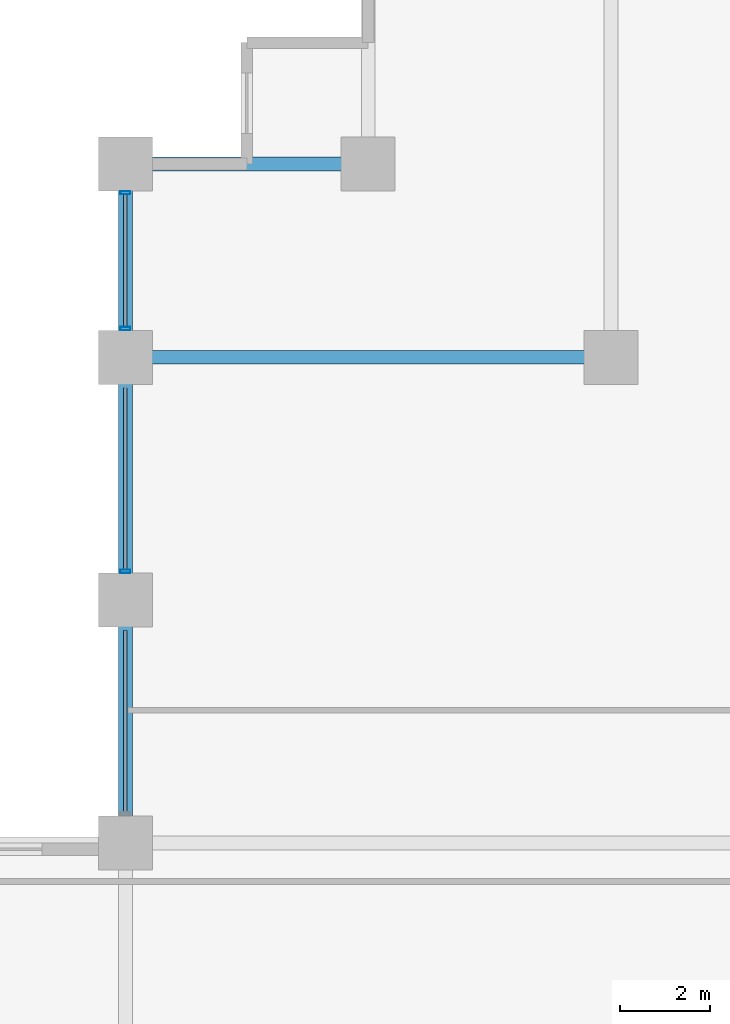
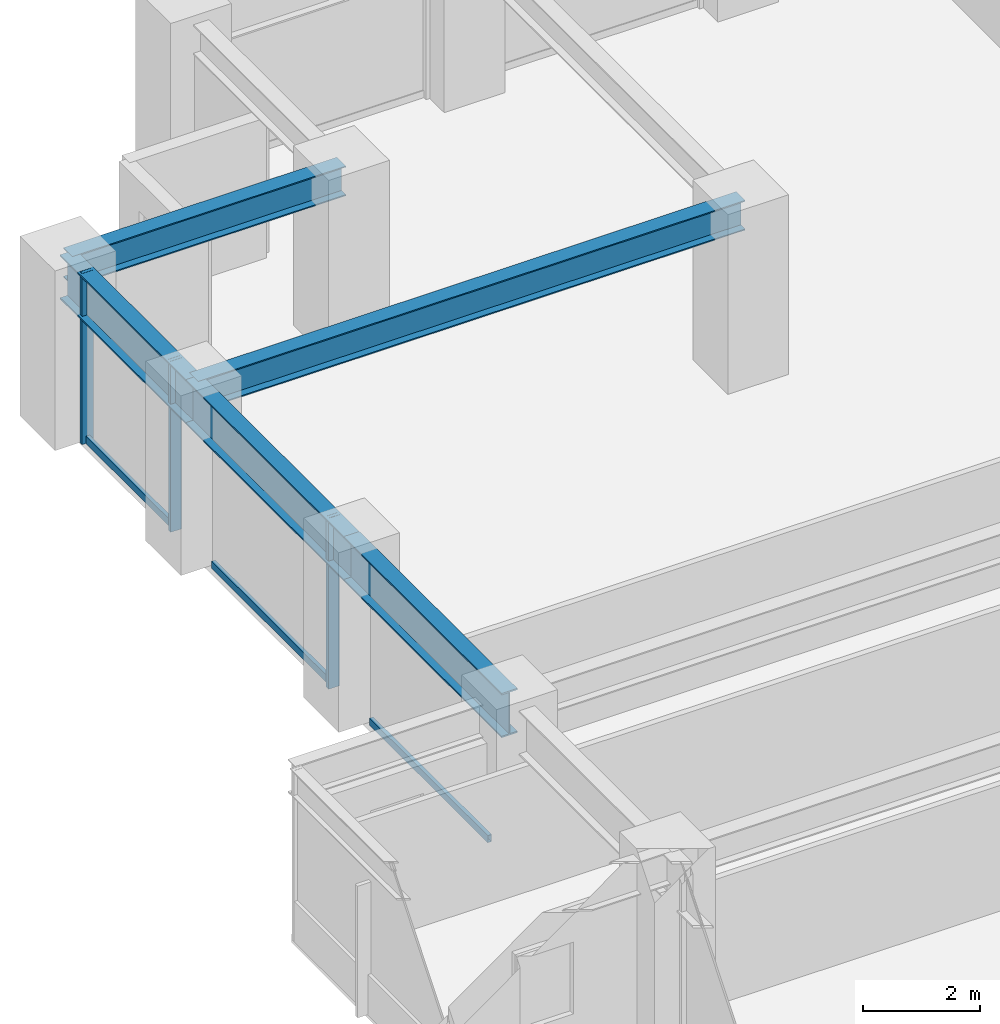
# One storey, part 10 of 28: 6 members, 5 beams, 1 element without a shape of its own.
"""IFC4 building model written with IfcOpenShell, lengths in metres."""

from ifc_helpers import new_model, si_unit, direction, frame, origin, origin_2d, place, context, subcontext, project, spatial, hollow_rectangle, i_section, extrude, material, layer, layer_set, material_profile, profile_set, type_object, element, aggregate, save


model = new_model("IFC4")

# Units and contexts
model_context = context("Model", 3, precision=1e-05, world=origin(), true_north=direction((0.0, 1.0)))
body_context = subcontext(model_context, "Body", "Model", "MODEL_VIEW")
ifc_project = project(units=[si_unit("LENGTHUNIT", "METRE"), si_unit("AREAUNIT", "SQUARE_METRE"), si_unit("VOLUMEUNIT", "CUBIC_METRE"), si_unit("PLANEANGLEUNIT", "RADIAN"), si_unit("MASSUNIT", "GRAM", prefix="KILO")], contexts=[model_context])

# Site, building, storey
site_placement = place(None, origin())
site = spatial("IfcSite", under=ifc_project, at=site_placement, CompositionType="ELEMENT")
building_placement = place(site_placement, origin())
building = spatial("IfcBuilding", under=site, at=building_placement, Name="Surkhivell Harbour Commons", CompositionType="ELEMENT")
storey_placement = place(building_placement, frame((0.0, 0.0, 67.5)))
storey = spatial("IfcBuildingStorey", under=building, at=storey_placement, Name="L17", CompositionType="ELEMENT", Elevation=67.5)

# Beams
ifc_material_1 = material(Name="Steel S355", Category="steel")
ifc_material_profile_1 = material_profile(ifc_material_1, i_section(OverallWidth=0.306884765625, OverallDepth=0.6201171875, WebThickness=0.01416015625, FlangeThickness=0.023681640625, at=origin_2d()), Name="UB610x305x179")
ifc_profile_set_1 = profile_set([ifc_material_profile_1], Name="Steel S355")
beam_type_1 = type_object("IfcBeamType", Name="BM-GRD-610A", PredefinedType="BEAM", material=ifc_profile_set_1)
beam_1_placement = place(storey_placement, frame((-32.39990234375, 16.199951171875, 3.260009765625), z_axis=(1.0, 0.0, 0.0), x_axis=(0.0, 1.0, 0.0)))
element("IfcBeam", 1, at=beam_1_placement, inside=storey, type_object=beam_type_1, Name="L17 Floor Girder (-32.4,16.2)", PredefinedType="BEAM", context=body_context, shape_type="SweptSolid", body=[
    extrude(i_section(OverallWidth=0.306884765625, OverallDepth=0.6201171875, WebThickness=0.01416015625, FlangeThickness=0.023681640625, at=origin_2d()), origin(), (0.0, 0.0, 1.0), 10.7998046875),
])
beam_2_placement = place(storey_placement, frame((-32.39990234375, 20.5, 3.260009765625), z_axis=(1.0, 0.0, 0.0), x_axis=(0.0, 1.0, 0.0)))
element("IfcBeam", 2, at=beam_2_placement, inside=storey, type_object=beam_type_1, Name="L17 Floor Girder (-32.4,20.5)", PredefinedType="BEAM", context=body_context, shape_type="SweptSolid", body=[
    extrude(i_section(OverallWidth=0.306884765625, OverallDepth=0.6201171875, WebThickness=0.01416015625, FlangeThickness=0.023681640625, at=origin_2d()), origin(), (0.0, 0.0, 1.0), 5.39990234375),
])
ifc_material_2 = material(Name="Steel S460", Category="steel")
ifc_material_profile_2 = material_profile(ifc_material_2, i_section(OverallWidth=0.30810546875, OverallDepth=0.927001953125, WebThickness=0.01953125, FlangeThickness=0.031982421875, at=origin_2d()), Name="UB914x305x289")
ifc_profile_set_2 = profile_set([ifc_material_profile_2], Name="Steel S460")
beam_type_2 = type_object("IfcBeamType", Name="BM-SPN-914B", PredefinedType="SPANDREL", material=ifc_profile_set_2)
beam_3_placement = place(storey_placement, frame((-32.39990234375, 5.39990234375, 3.1064453125), z_axis=(0.0, 1.0, 0.0), x_axis=(-1.0, 0.0, 0.0)))
element("IfcBeam", 3, at=beam_3_placement, inside=storey, type_object=beam_type_2, Name="L17 Tube Spandrel (-32.4,5.4)", PredefinedType="SPANDREL", context=body_context, shape_type="SweptSolid", body=[
    extrude(i_section(OverallWidth=0.30810546875, OverallDepth=0.927001953125, WebThickness=0.01953125, FlangeThickness=0.031982421875, at=origin_2d()), origin(), (0.0, 0.0, 1.0), 5.400146484375),
])
beam_4_placement = place(storey_placement, frame((-32.39990234375, 10.800048828125, 3.1064453125), z_axis=(0.0, 1.0, 0.0), x_axis=(-1.0, 0.0, 0.0)))
element("IfcBeam", 4, at=beam_4_placement, inside=storey, type_object=beam_type_2, Name="L17 Tube Spandrel (-32.4,10.8)", PredefinedType="SPANDREL", context=body_context, shape_type="SweptSolid", body=[
    extrude(i_section(OverallWidth=0.30810546875, OverallDepth=0.927001953125, WebThickness=0.01953125, FlangeThickness=0.031982421875, at=origin_2d()), origin(), (0.0, 0.0, 1.0), 5.39990234375),
])
beam_5_placement = place(storey_placement, frame((-32.39990234375, 16.199951171875, 3.1064453125), z_axis=(0.0, 1.0, 0.0), x_axis=(-1.0, 0.0, 0.0)))
element("IfcBeam", 5, at=beam_5_placement, inside=storey, type_object=beam_type_2, Name="L17 Tube Spandrel (-32.4,16.2)", PredefinedType="SPANDREL", context=body_context, shape_type="SweptSolid", body=[
    extrude(i_section(OverallWidth=0.30810546875, OverallDepth=0.927001953125, WebThickness=0.01953125, FlangeThickness=0.031982421875, at=origin_2d()), origin(), (0.0, 0.0, 1.0), 4.300048828125),
])

# Curtain wall, members
ifc_material_3 = material(Name="Anodised pale-metal aluminium and insulated glazing", Category="aluminium")
ifc_layer = layer(ifc_material_3, 0.219970703125)
ifc_layer_set = layer_set([ifc_layer], Name="Anodised pale-metal aluminium and insulated glazing")
curtain_wall_type = type_object("IfcCurtainWallType", Name="CW-SYS-Z1", PredefinedType="NOTDEFINED", material=ifc_layer_set)
curtain_wall_placement = place(storey_placement, origin())
curtain_wall = element("IfcCurtainWall", 6, at=curtain_wall_placement, inside=storey, type_object=curtain_wall_type, Name="L17 Curtain Wall CW-L17-E12R2", PredefinedType="NOTDEFINED")
ifc_material_4 = material(Name="Anodised pale-metal aluminium alloy 6063-T6", Category="aluminium")
ifc_material_profile_3 = material_profile(ifc_material_4, hollow_rectangle(XDim=0.074951171875, YDim=0.219970703125, WallThickness=0.00390625, at=origin_2d()), Name="ALU-MULL-75x220")
ifc_profile_set_3 = profile_set([ifc_material_profile_3], Name="Anodised pale-metal aluminium alloy 6063-T6")
member_type_1 = type_object("IfcMemberType", Name="CWM-220", PredefinedType="MULLION", material=ifc_profile_set_3)
member_1_placement = place(storey_placement, frame((-32.39990234375, 11.439453125, 0.0), z_axis=(0.0, 0.0, 1.0), x_axis=(0.0, 1.0, 0.0)))
member_1 = element("IfcMember", 7, at=member_1_placement, type_object=member_type_1, Name="CW-Z1 mullion 2", PredefinedType="MULLION", context=body_context, shape_type="SweptSolid", body=[
    extrude(hollow_rectangle(XDim=0.074951171875, YDim=0.219970703125, WallThickness=0.00390625, at=origin_2d()), origin(), (0.0, 0.0, 1.0), 3.570068359375),
])
member_2_placement = place(storey_placement, frame((-32.39990234375, 16.839599609375, 0.0), z_axis=(0.0, 0.0, 1.0), x_axis=(0.0, 1.0, 0.0)))
member_2 = element("IfcMember", 8, at=member_2_placement, type_object=member_type_1, Name="CW-Z1 mullion 3", PredefinedType="MULLION", context=body_context, shape_type="SweptSolid", body=[
    extrude(hollow_rectangle(XDim=0.074951171875, YDim=0.219970703125, WallThickness=0.00390625, at=origin_2d()), origin(), (0.0, 0.0, 1.0), 3.570068359375),
])
member_3_placement = place(storey_placement, frame((-32.39990234375, 19.860595703125, 0.0), z_axis=(0.0, 0.0, 1.0), x_axis=(0.0, 1.0, 0.0)))
member_3 = element("IfcMember", 9, at=member_3_placement, type_object=member_type_1, Name="CW-Z1 mullion 4", PredefinedType="MULLION", context=body_context, shape_type="SweptSolid", body=[
    extrude(hollow_rectangle(XDim=0.074951171875, YDim=0.219970703125, WallThickness=0.00390625, at=origin_2d()), origin(), (0.0, 0.0, 1.0), 3.570068359375),
])
ifc_material_profile_4 = material_profile(ifc_material_4, hollow_rectangle(XDim=0.074951171875, YDim=0.14990234375, WallThickness=0.00341796875, at=origin_2d()), Name="ALU-TRAN-75x150")
ifc_profile_set_4 = profile_set([ifc_material_profile_4], Name="Anodised pale-metal aluminium alloy 6063-T6")
member_type_2 = type_object("IfcMemberType", Name="CWT-150", PredefinedType="USERDEFINED", material=ifc_profile_set_4)
member_4_placement = place(storey_placement, frame((-32.39990234375, 6.076904296875, 0.074951171875), z_axis=(0.0, 1.0, 0.0), x_axis=(-1.0, 0.0, 0.0)))
member_4 = element("IfcMember", 10, at=member_4_placement, type_object=member_type_2, Name="CW-Z1 transom 1.1", ObjectType="TRANSOM", PredefinedType="USERDEFINED", context=body_context, shape_type="SweptSolid", body=[
    extrude(hollow_rectangle(XDim=0.074951171875, YDim=0.14990234375, WallThickness=0.00341796875, at=origin_2d()), origin(), (0.0, 0.0, 1.0), 4.046142578125),
])
member_5_placement = place(storey_placement, frame((-32.39990234375, 11.47705078125, 0.074951171875), z_axis=(0.0, 1.0, 0.0), x_axis=(-1.0, 0.0, 0.0)))
member_5 = element("IfcMember", 11, at=member_5_placement, type_object=member_type_2, Name="CW-Z1 transom 2.1", ObjectType="TRANSOM", PredefinedType="USERDEFINED", context=body_context, shape_type="SweptSolid", body=[
    extrude(hollow_rectangle(XDim=0.074951171875, YDim=0.14990234375, WallThickness=0.00341796875, at=origin_2d()), origin(), (0.0, 0.0, 1.0), 4.0458984375),
])
member_6_placement = place(storey_placement, frame((-32.39990234375, 16.876953125, 0.074951171875), z_axis=(0.0, 1.0, 0.0), x_axis=(-1.0, 0.0, 0.0)))
member_6 = element("IfcMember", 12, at=member_6_placement, type_object=member_type_2, Name="CW-Z1 transom 3.1", ObjectType="TRANSOM", PredefinedType="USERDEFINED", context=body_context, shape_type="SweptSolid", body=[
    extrude(hollow_rectangle(XDim=0.074951171875, YDim=0.14990234375, WallThickness=0.00341796875, at=origin_2d()), origin(), (0.0, 0.0, 1.0), 2.946044921875),
])
aggregate(curtain_wall, [member_4, member_1, member_5, member_2, member_3, member_6])

save(model, "model.ifc")
